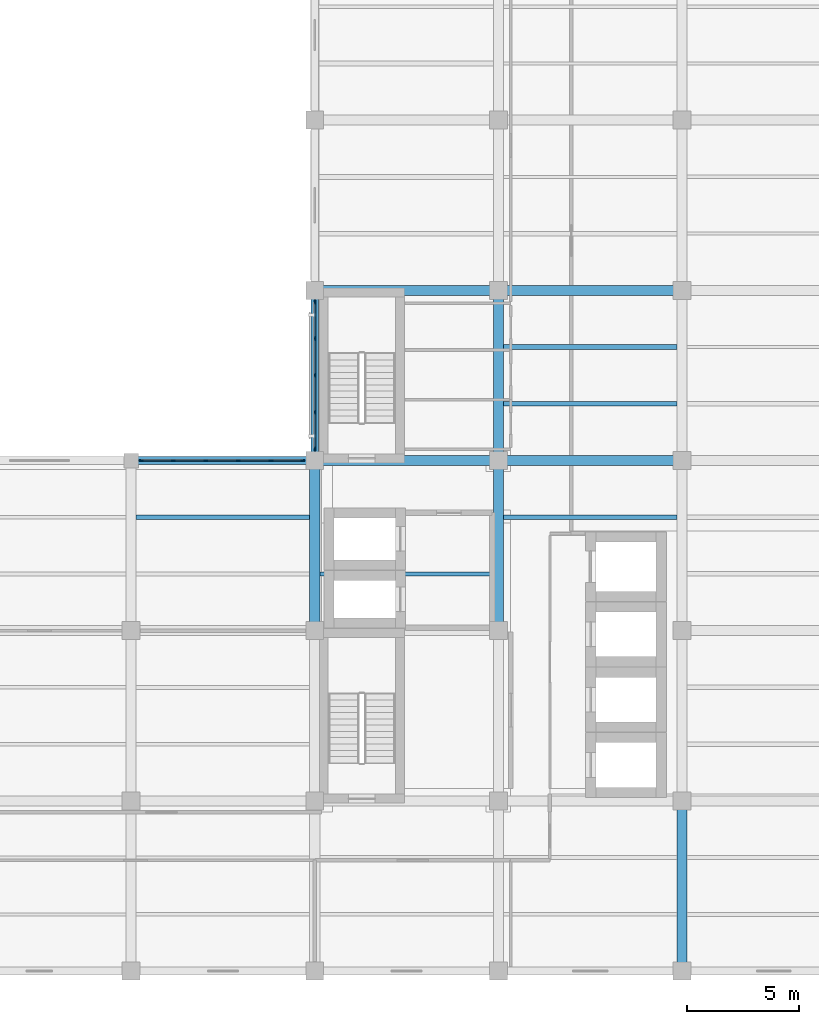
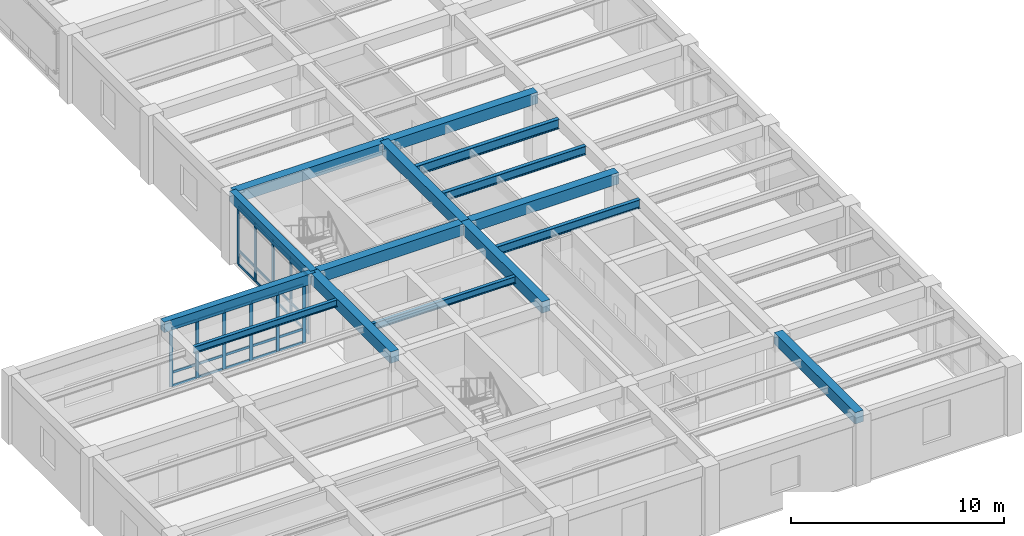
# One storey, part 2 of 14: 38 members, 15 beams, 2 elements without a shape of their own.
"""IFC4 building model written with IfcOpenShell, lengths in metres."""

from ifc_helpers import new_model, si_unit, direction, frame, origin, origin_2d, place, context, subcontext, project, spatial, rectangle, i_section, extrude, material, material_profile, profile_set, type_object, element, aggregate, save


model = new_model("IFC4")

# Units and contexts
model_context = context("Model", 3, precision=1e-05, world=origin(), true_north=direction((0.0, 1.0)))
body_context = subcontext(model_context, "Body", "Model", "MODEL_VIEW")
ifc_project = project(units=[si_unit("LENGTHUNIT", "METRE"), si_unit("AREAUNIT", "SQUARE_METRE"), si_unit("VOLUMEUNIT", "CUBIC_METRE"), si_unit("PLANEANGLEUNIT", "RADIAN"), si_unit("MASSUNIT", "GRAM", prefix="KILO")], contexts=[model_context])

# Site, building, storey
site_placement = place(None, origin())
site = spatial("IfcSite", under=ifc_project, at=site_placement, CompositionType="ELEMENT")
building_placement = place(site_placement, origin())
building = spatial("IfcBuilding", under=site, at=building_placement, Name="Qandaris Square Conservatory and Botanical Centre", CompositionType="ELEMENT")
storey_placement = place(building_placement, frame((0.0, 0.0, 40.800048828125)))
storey = spatial("IfcBuildingStorey", under=building, at=storey_placement, Name="L09", CompositionType="ELEMENT", Elevation=40.800048828125)

# Beams
ifc_material_1 = material(Name="Steel S355", Category="steel")
ifc_material_profile_1 = material_profile(ifc_material_1, i_section(OverallWidth=0.199951171875, OverallDepth=0.5, WebThickness=0.01025390625, FlangeThickness=0.01611328125, FilletRadius=0.02099609375, at=origin_2d()), Name="IPE 500")
ifc_profile_set_1 = profile_set([ifc_material_profile_1], Name="Steel S355")
beam_type_1 = type_object("IfcBeamType", Name="Composite Gallery Joist IPE 500", PredefinedType="JOIST", material=ifc_profile_set_1)
for number, where, z_axis, x_axis, name in (
    (1, (147.625, 36.86669921875, 3.679931640625), (1.0, 0.0, 0.0), (0.0, 1.0, 0.0), "L09 Composite Joist 2409"),
    (2, (147.625, 41.933349609375, 3.679931640625), (1.0, 0.0, 0.0), (0.0, 1.0, 0.0), "L09 Composite Joist 2410"),
):
    element("IfcBeam", number, at=place(storey_placement, frame(where, z_axis=z_axis, x_axis=x_axis)), inside=storey, type_object=beam_type_1, Name=name, PredefinedType="JOIST", context=body_context, shape_type="SweptSolid", body=[
        extrude(i_section(OverallWidth=0.199951171875, OverallDepth=0.5, WebThickness=0.01025390625, FlangeThickness=0.01611328125, FilletRadius=0.02099609375, at=origin_2d()), origin(), (0.0, 0.0, 1.0), 7.75),
    ])
ifc_material_profile_2 = material_profile(ifc_material_1, i_section(OverallWidth=0.179931640625, OverallDepth=0.39990234375, WebThickness=0.008544921875, FlangeThickness=0.013427734375, FilletRadius=0.02099609375, at=origin_2d()), Name="IPE 400")
ifc_profile_set_2 = profile_set([ifc_material_profile_2], Name="Steel S355")
beam_type_2 = type_object("IfcBeamType", Name="Composite Plinth Joist IPE 400", PredefinedType="JOIST", material=ifc_profile_set_2)
for number, where, z_axis, x_axis, name in (
    (3, (131.22509765625, 36.86669921875, 3.72998046875), (1.0, 0.0, 0.0), (0.0, 1.0, 0.0), "L09 Composite Joist 2397"),
    (4, (139.425048828125, 34.333251953125, 3.72998046875), (1.0, 0.0, 0.0), (0.0, 1.0, 0.0), "L09 Composite Joist 2400"),
):
    element("IfcBeam", number, at=place(storey_placement, frame(where, z_axis=z_axis, x_axis=x_axis)), inside=storey, type_object=beam_type_2, Name=name, PredefinedType="JOIST", context=body_context, shape_type="SweptSolid", body=[
        extrude(i_section(OverallWidth=0.179931640625, OverallDepth=0.39990234375, WebThickness=0.008544921875, FlangeThickness=0.013427734375, FilletRadius=0.02099609375, at=origin_2d()), origin(), (0.0, 0.0, 1.0), 7.75),
    ])

# Curtain wall, members
ifc_material_2 = material(Name="Anodised Aluminium", Category="aluminium")
curtain_wall_type_1 = type_object("IfcCurtainWallType", Name="Unitised Curtain Wall CW-4-660x334", PredefinedType="USERDEFINED", material=ifc_material_2)
curtain_wall_1_placement = place(storey_placement, origin())
curtain_wall_1 = element("IfcCurtainWall", 5, at=curtain_wall_1_placement, inside=storey, type_object=curtain_wall_type_1, Name="Curtain Wall CW-TWR-L09-4-4", ObjectType="GLAZED CURTAIN WALL", PredefinedType="USERDEFINED")
ifc_material_profile_3 = material_profile(ifc_material_2, rectangle(XDim=0.06494140625, YDim=0.179931640625, at=origin_2d()), Name="ALU-MUL 65x180")
ifc_profile_set_3 = profile_set([ifc_material_profile_3], Name="Anodised Aluminium")
member_type_1 = type_object("IfcMemberType", Name="Curtain Wall Mullion 65x180", PredefinedType="MULLION", material=ifc_profile_set_3)
member_1_placement = place(storey_placement, frame((139.199951171875, 46.467529296875, 0.0), z_axis=(0.0, 0.0, 1.0), x_axis=(1.0, 0.0, 0.0)))
member_1 = element("IfcMember", 6, at=member_1_placement, type_object=member_type_1, Name="CW-4-660x334 mullion 1", PredefinedType="MULLION", context=body_context, shape_type="SweptSolid", body=[
    extrude(rectangle(XDim=0.06494140625, YDim=0.179931640625, at=origin_2d()), origin(), (0.0, 0.0, 1.0), 3.33984375),
])
member_2_placement = place(storey_placement, frame((139.199951171875, 44.85009765625, 0.0), z_axis=(0.0, 0.0, 1.0), x_axis=(1.0, 0.0, 0.0)))
member_2 = element("IfcMember", 7, at=member_2_placement, type_object=member_type_1, Name="CW-4-660x334 mullion 2", PredefinedType="MULLION", context=body_context, shape_type="SweptSolid", body=[
    extrude(rectangle(XDim=0.06494140625, YDim=0.179931640625, at=origin_2d()), origin(), (0.0, 0.0, 1.0), 3.33984375),
])
member_3_placement = place(storey_placement, frame((139.199951171875, 43.199951171875, 0.0), z_axis=(0.0, 0.0, 1.0), x_axis=(1.0, 0.0, 0.0)))
member_3 = element("IfcMember", 8, at=member_3_placement, type_object=member_type_1, Name="CW-4-660x334 mullion 3", PredefinedType="MULLION", context=body_context, shape_type="SweptSolid", body=[
    extrude(rectangle(XDim=0.06494140625, YDim=0.179931640625, at=origin_2d()), origin(), (0.0, 0.0, 1.0), 3.33984375),
])
member_4_placement = place(storey_placement, frame((139.199951171875, 41.550048828125, 0.0), z_axis=(0.0, 0.0, 1.0), x_axis=(1.0, 0.0, 0.0)))
member_4 = element("IfcMember", 9, at=member_4_placement, type_object=member_type_1, Name="CW-4-660x334 mullion 4", PredefinedType="MULLION", context=body_context, shape_type="SweptSolid", body=[
    extrude(rectangle(XDim=0.06494140625, YDim=0.179931640625, at=origin_2d()), origin(), (0.0, 0.0, 1.0), 3.33984375),
])
member_5_placement = place(storey_placement, frame((139.199951171875, 39.9326171875, 0.0), z_axis=(0.0, 0.0, 1.0), x_axis=(1.0, 0.0, 0.0)))
member_5 = element("IfcMember", 10, at=member_5_placement, type_object=member_type_1, Name="CW-4-660x334 mullion 5", PredefinedType="MULLION", context=body_context, shape_type="SweptSolid", body=[
    extrude(rectangle(XDim=0.06494140625, YDim=0.179931640625, at=origin_2d()), origin(), (0.0, 0.0, 1.0), 3.33984375),
])

curtain_wall_type_2 = type_object("IfcCurtainWallType", Name="Unitised Curtain Wall CW-4-727x334", PredefinedType="USERDEFINED", material=ifc_material_2)
curtain_wall_2_placement = place(storey_placement, origin())
curtain_wall_2 = element("IfcCurtainWall", 11, at=curtain_wall_2_placement, inside=storey, type_object=curtain_wall_type_2, Name="Curtain Wall CW-TWR-L09-5-1", ObjectType="GLAZED CURTAIN WALL", PredefinedType="USERDEFINED")
member_6_placement = place(storey_placement, frame((138.66748046875, 39.39990234375, 0.0), z_axis=(0.0, 0.0, 1.0), x_axis=(0.0, -1.0, 0.0)))
member_6 = element("IfcMember", 12, at=member_6_placement, type_object=member_type_1, Name="CW-4-727x334 mullion 1", PredefinedType="MULLION", context=body_context, shape_type="SweptSolid", body=[
    extrude(rectangle(XDim=0.06494140625, YDim=0.179931640625, at=origin_2d()), origin(), (0.0, 0.0, 1.0), 3.33984375),
])
member_7_placement = place(storey_placement, frame((137.2451171875, 39.39990234375, 0.0), z_axis=(0.0, 0.0, 1.0), x_axis=(0.0, -1.0, 0.0)))
member_7 = element("IfcMember", 13, at=member_7_placement, type_object=member_type_1, Name="CW-4-727x334 mullion 2", PredefinedType="MULLION", context=body_context, shape_type="SweptSolid", body=[
    extrude(rectangle(XDim=0.06494140625, YDim=0.179931640625, at=origin_2d()), origin(), (0.0, 0.0, 1.0), 3.33984375),
])
member_8_placement = place(storey_placement, frame((135.7900390625, 39.39990234375, 0.0), z_axis=(0.0, 0.0, 1.0), x_axis=(0.0, -1.0, 0.0)))
member_8 = element("IfcMember", 14, at=member_8_placement, type_object=member_type_1, Name="CW-4-727x334 mullion 3", PredefinedType="MULLION", context=body_context, shape_type="SweptSolid", body=[
    extrude(rectangle(XDim=0.06494140625, YDim=0.179931640625, at=origin_2d()), origin(), (0.0, 0.0, 1.0), 3.33984375),
])
member_9_placement = place(storey_placement, frame((134.3349609375, 39.39990234375, 0.0), z_axis=(0.0, 0.0, 1.0), x_axis=(0.0, -1.0, 0.0)))
member_9 = element("IfcMember", 15, at=member_9_placement, type_object=member_type_1, Name="CW-4-727x334 mullion 4", PredefinedType="MULLION", context=body_context, shape_type="SweptSolid", body=[
    extrude(rectangle(XDim=0.06494140625, YDim=0.179931640625, at=origin_2d()), origin(), (0.0, 0.0, 1.0), 3.33984375),
])
member_10_placement = place(storey_placement, frame((132.8798828125, 39.39990234375, 0.0), z_axis=(0.0, 0.0, 1.0), x_axis=(0.0, -1.0, 0.0)))
member_10 = element("IfcMember", 16, at=member_10_placement, type_object=member_type_1, Name="CW-4-727x334 mullion 5", PredefinedType="MULLION", context=body_context, shape_type="SweptSolid", body=[
    extrude(rectangle(XDim=0.06494140625, YDim=0.179931640625, at=origin_2d()), origin(), (0.0, 0.0, 1.0), 3.33984375),
])
member_11_placement = place(storey_placement, frame((131.45751953125, 39.39990234375, 0.0), z_axis=(0.0, 0.0, 1.0), x_axis=(0.0, -1.0, 0.0)))
member_11 = element("IfcMember", 17, at=member_11_placement, type_object=member_type_1, Name="CW-4-727x334 mullion 6", PredefinedType="MULLION", context=body_context, shape_type="SweptSolid", body=[
    extrude(rectangle(XDim=0.06494140625, YDim=0.179931640625, at=origin_2d()), origin(), (0.0, 0.0, 1.0), 3.33984375),
])

# Member
ifc_material_profile_4 = material_profile(ifc_material_2, rectangle(XDim=0.06494140625, YDim=0.139892578125, at=origin_2d()), Name="ALU-TRN 65x140")
ifc_profile_set_4 = profile_set([ifc_material_profile_4], Name="Anodised Aluminium")
member_type_2 = type_object("IfcMemberType", Name="Curtain Wall Transom 65x140", PredefinedType="USERDEFINED", material=ifc_profile_set_4)
member_12_placement = place(storey_placement, frame((139.199951171875, 46.43505859375, 0.032470703125), z_axis=(0.0, -1.0, 0.0), x_axis=(1.0, 0.0, 0.0)))
member_12 = element("IfcMember", 18, at=member_12_placement, type_object=member_type_2, Name="CW-4-660x334 transom 1.1", ObjectType="TRANSOM", PredefinedType="USERDEFINED", context=body_context, shape_type="SweptSolid", body=[
    extrude(rectangle(XDim=0.06494140625, YDim=0.139892578125, at=origin_2d()), origin(), (0.0, 0.0, 1.0), 1.552490234375),
])

member_13_placement = place(storey_placement, frame((139.199951171875, 46.43505859375, 0.801513671875), z_axis=(0.0, -1.0, 0.0), x_axis=(1.0, 0.0, 0.0)))
member_13 = element("IfcMember", 19, at=member_13_placement, type_object=member_type_2, Name="CW-4-660x334 transom 1.2", ObjectType="TRANSOM", PredefinedType="USERDEFINED", context=body_context, shape_type="SweptSolid", body=[
    extrude(rectangle(XDim=0.06494140625, YDim=0.139892578125, at=origin_2d()), origin(), (0.0, 0.0, 1.0), 1.552490234375),
])

member_14_placement = place(storey_placement, frame((139.199951171875, 46.43505859375, 3.307373046875), z_axis=(0.0, -1.0, 0.0), x_axis=(1.0, 0.0, 0.0)))
member_14 = element("IfcMember", 20, at=member_14_placement, type_object=member_type_2, Name="CW-4-660x334 transom 1.3", ObjectType="TRANSOM", PredefinedType="USERDEFINED", context=body_context, shape_type="SweptSolid", body=[
    extrude(rectangle(XDim=0.06494140625, YDim=0.139892578125, at=origin_2d()), origin(), (0.0, 0.0, 1.0), 1.552490234375),
])

member_15_placement = place(storey_placement, frame((139.199951171875, 44.8173828125, 0.032470703125), z_axis=(0.0, -1.0, 0.0), x_axis=(1.0, 0.0, 0.0)))
member_15 = element("IfcMember", 21, at=member_15_placement, type_object=member_type_2, Name="CW-4-660x334 transom 2.1", ObjectType="TRANSOM", PredefinedType="USERDEFINED", context=body_context, shape_type="SweptSolid", body=[
    extrude(rectangle(XDim=0.06494140625, YDim=0.139892578125, at=origin_2d()), origin(), (0.0, 0.0, 1.0), 1.5849609375),
])

member_16_placement = place(storey_placement, frame((139.199951171875, 44.8173828125, 0.801513671875), z_axis=(0.0, -1.0, 0.0), x_axis=(1.0, 0.0, 0.0)))
member_16 = element("IfcMember", 22, at=member_16_placement, type_object=member_type_2, Name="CW-4-660x334 transom 2.2", ObjectType="TRANSOM", PredefinedType="USERDEFINED", context=body_context, shape_type="SweptSolid", body=[
    extrude(rectangle(XDim=0.06494140625, YDim=0.139892578125, at=origin_2d()), origin(), (0.0, 0.0, 1.0), 1.5849609375),
])

member_17_placement = place(storey_placement, frame((139.199951171875, 44.8173828125, 3.307373046875), z_axis=(0.0, -1.0, 0.0), x_axis=(1.0, 0.0, 0.0)))
member_17 = element("IfcMember", 23, at=member_17_placement, type_object=member_type_2, Name="CW-4-660x334 transom 2.3", ObjectType="TRANSOM", PredefinedType="USERDEFINED", context=body_context, shape_type="SweptSolid", body=[
    extrude(rectangle(XDim=0.06494140625, YDim=0.139892578125, at=origin_2d()), origin(), (0.0, 0.0, 1.0), 1.5849609375),
])

member_18_placement = place(storey_placement, frame((139.199951171875, 43.16748046875, 0.032470703125), z_axis=(0.0, -1.0, 0.0), x_axis=(1.0, 0.0, 0.0)))
member_18 = element("IfcMember", 24, at=member_18_placement, type_object=member_type_2, Name="CW-4-660x334 transom 3.1", ObjectType="TRANSOM", PredefinedType="USERDEFINED", context=body_context, shape_type="SweptSolid", body=[
    extrude(rectangle(XDim=0.06494140625, YDim=0.139892578125, at=origin_2d()), origin(), (0.0, 0.0, 1.0), 1.5849609375),
])

member_19_placement = place(storey_placement, frame((139.199951171875, 43.16748046875, 0.801513671875), z_axis=(0.0, -1.0, 0.0), x_axis=(1.0, 0.0, 0.0)))
member_19 = element("IfcMember", 25, at=member_19_placement, type_object=member_type_2, Name="CW-4-660x334 transom 3.2", ObjectType="TRANSOM", PredefinedType="USERDEFINED", context=body_context, shape_type="SweptSolid", body=[
    extrude(rectangle(XDim=0.06494140625, YDim=0.139892578125, at=origin_2d()), origin(), (0.0, 0.0, 1.0), 1.5849609375),
])

member_20_placement = place(storey_placement, frame((139.199951171875, 43.16748046875, 3.307373046875), z_axis=(0.0, -1.0, 0.0), x_axis=(1.0, 0.0, 0.0)))
member_20 = element("IfcMember", 26, at=member_20_placement, type_object=member_type_2, Name="CW-4-660x334 transom 3.3", ObjectType="TRANSOM", PredefinedType="USERDEFINED", context=body_context, shape_type="SweptSolid", body=[
    extrude(rectangle(XDim=0.06494140625, YDim=0.139892578125, at=origin_2d()), origin(), (0.0, 0.0, 1.0), 1.5849609375),
])

member_21_placement = place(storey_placement, frame((139.199951171875, 41.517578125, 0.032470703125), z_axis=(0.0, -1.0, 0.0), x_axis=(1.0, 0.0, 0.0)))
member_21 = element("IfcMember", 27, at=member_21_placement, type_object=member_type_2, Name="CW-4-660x334 transom 4.1", ObjectType="TRANSOM", PredefinedType="USERDEFINED", context=body_context, shape_type="SweptSolid", body=[
    extrude(rectangle(XDim=0.06494140625, YDim=0.139892578125, at=origin_2d()), origin(), (0.0, 0.0, 1.0), 1.552490234375),
])

member_22_placement = place(storey_placement, frame((139.199951171875, 41.517578125, 0.801513671875), z_axis=(0.0, -1.0, 0.0), x_axis=(1.0, 0.0, 0.0)))
member_22 = element("IfcMember", 28, at=member_22_placement, type_object=member_type_2, Name="CW-4-660x334 transom 4.2", ObjectType="TRANSOM", PredefinedType="USERDEFINED", context=body_context, shape_type="SweptSolid", body=[
    extrude(rectangle(XDim=0.06494140625, YDim=0.139892578125, at=origin_2d()), origin(), (0.0, 0.0, 1.0), 1.552490234375),
])

member_23_placement = place(storey_placement, frame((139.199951171875, 41.517578125, 3.307373046875), z_axis=(0.0, -1.0, 0.0), x_axis=(1.0, 0.0, 0.0)))
member_23 = element("IfcMember", 29, at=member_23_placement, type_object=member_type_2, Name="CW-4-660x334 transom 4.3", ObjectType="TRANSOM", PredefinedType="USERDEFINED", context=body_context, shape_type="SweptSolid", body=[
    extrude(rectangle(XDim=0.06494140625, YDim=0.139892578125, at=origin_2d()), origin(), (0.0, 0.0, 1.0), 1.552490234375),
])

aggregate(curtain_wall_1, [member_1, member_2, member_3, member_4, member_5, member_12, member_13, member_14, member_15, member_16, member_17, member_18, member_19, member_20, member_21, member_22, member_23])

member_24_placement = place(storey_placement, frame((138.635009765625, 39.39990234375, 0.032470703125), z_axis=(-1.0, 0.0, 0.0), x_axis=(0.0, -1.0, 0.0)))
member_24 = element("IfcMember", 30, at=member_24_placement, type_object=member_type_2, Name="CW-4-727x334 transom 1.1", ObjectType="TRANSOM", PredefinedType="USERDEFINED", context=body_context, shape_type="SweptSolid", body=[
    extrude(rectangle(XDim=0.06494140625, YDim=0.139892578125, at=origin_2d()), origin(), (0.0, 0.0, 1.0), 1.357421875),
])

member_25_placement = place(storey_placement, frame((138.635009765625, 39.39990234375, 0.801513671875), z_axis=(-1.0, 0.0, 0.0), x_axis=(0.0, -1.0, 0.0)))
member_25 = element("IfcMember", 31, at=member_25_placement, type_object=member_type_2, Name="CW-4-727x334 transom 1.2", ObjectType="TRANSOM", PredefinedType="USERDEFINED", context=body_context, shape_type="SweptSolid", body=[
    extrude(rectangle(XDim=0.06494140625, YDim=0.139892578125, at=origin_2d()), origin(), (0.0, 0.0, 1.0), 1.357421875),
])

member_26_placement = place(storey_placement, frame((138.635009765625, 39.39990234375, 3.307373046875), z_axis=(-1.0, 0.0, 0.0), x_axis=(0.0, -1.0, 0.0)))
member_26 = element("IfcMember", 32, at=member_26_placement, type_object=member_type_2, Name="CW-4-727x334 transom 1.3", ObjectType="TRANSOM", PredefinedType="USERDEFINED", context=body_context, shape_type="SweptSolid", body=[
    extrude(rectangle(XDim=0.06494140625, YDim=0.139892578125, at=origin_2d()), origin(), (0.0, 0.0, 1.0), 1.357421875),
])

member_27_placement = place(storey_placement, frame((137.21240234375, 39.39990234375, 0.032470703125), z_axis=(-1.0, 0.0, 0.0), x_axis=(0.0, -1.0, 0.0)))
member_27 = element("IfcMember", 33, at=member_27_placement, type_object=member_type_2, Name="CW-4-727x334 transom 2.1", ObjectType="TRANSOM", PredefinedType="USERDEFINED", context=body_context, shape_type="SweptSolid", body=[
    extrude(rectangle(XDim=0.06494140625, YDim=0.139892578125, at=origin_2d()), origin(), (0.0, 0.0, 1.0), 1.389892578125),
])

member_28_placement = place(storey_placement, frame((137.21240234375, 39.39990234375, 0.801513671875), z_axis=(-1.0, 0.0, 0.0), x_axis=(0.0, -1.0, 0.0)))
member_28 = element("IfcMember", 34, at=member_28_placement, type_object=member_type_2, Name="CW-4-727x334 transom 2.2", ObjectType="TRANSOM", PredefinedType="USERDEFINED", context=body_context, shape_type="SweptSolid", body=[
    extrude(rectangle(XDim=0.06494140625, YDim=0.139892578125, at=origin_2d()), origin(), (0.0, 0.0, 1.0), 1.389892578125),
])

member_29_placement = place(storey_placement, frame((137.21240234375, 39.39990234375, 3.307373046875), z_axis=(-1.0, 0.0, 0.0), x_axis=(0.0, -1.0, 0.0)))
member_29 = element("IfcMember", 35, at=member_29_placement, type_object=member_type_2, Name="CW-4-727x334 transom 2.3", ObjectType="TRANSOM", PredefinedType="USERDEFINED", context=body_context, shape_type="SweptSolid", body=[
    extrude(rectangle(XDim=0.06494140625, YDim=0.139892578125, at=origin_2d()), origin(), (0.0, 0.0, 1.0), 1.389892578125),
])

member_30_placement = place(storey_placement, frame((135.757568359375, 39.39990234375, 0.032470703125), z_axis=(-1.0, 0.0, 0.0), x_axis=(0.0, -1.0, 0.0)))
member_30 = element("IfcMember", 36, at=member_30_placement, type_object=member_type_2, Name="CW-4-727x334 transom 3.1", ObjectType="TRANSOM", PredefinedType="USERDEFINED", context=body_context, shape_type="SweptSolid", body=[
    extrude(rectangle(XDim=0.06494140625, YDim=0.139892578125, at=origin_2d()), origin(), (0.0, 0.0, 1.0), 1.39013671875),
])

member_31_placement = place(storey_placement, frame((135.757568359375, 39.39990234375, 0.801513671875), z_axis=(-1.0, 0.0, 0.0), x_axis=(0.0, -1.0, 0.0)))
member_31 = element("IfcMember", 37, at=member_31_placement, type_object=member_type_2, Name="CW-4-727x334 transom 3.2", ObjectType="TRANSOM", PredefinedType="USERDEFINED", context=body_context, shape_type="SweptSolid", body=[
    extrude(rectangle(XDim=0.06494140625, YDim=0.139892578125, at=origin_2d()), origin(), (0.0, 0.0, 1.0), 1.39013671875),
])

member_32_placement = place(storey_placement, frame((135.757568359375, 39.39990234375, 3.307373046875), z_axis=(-1.0, 0.0, 0.0), x_axis=(0.0, -1.0, 0.0)))
member_32 = element("IfcMember", 38, at=member_32_placement, type_object=member_type_2, Name="CW-4-727x334 transom 3.3", ObjectType="TRANSOM", PredefinedType="USERDEFINED", context=body_context, shape_type="SweptSolid", body=[
    extrude(rectangle(XDim=0.06494140625, YDim=0.139892578125, at=origin_2d()), origin(), (0.0, 0.0, 1.0), 1.39013671875),
])

member_33_placement = place(storey_placement, frame((134.302490234375, 39.39990234375, 0.032470703125), z_axis=(-1.0, 0.0, 0.0), x_axis=(0.0, -1.0, 0.0)))
member_33 = element("IfcMember", 39, at=member_33_placement, type_object=member_type_2, Name="CW-4-727x334 transom 4.1", ObjectType="TRANSOM", PredefinedType="USERDEFINED", context=body_context, shape_type="SweptSolid", body=[
    extrude(rectangle(XDim=0.06494140625, YDim=0.139892578125, at=origin_2d()), origin(), (0.0, 0.0, 1.0), 1.389892578125),
])

member_34_placement = place(storey_placement, frame((134.302490234375, 39.39990234375, 0.801513671875), z_axis=(-1.0, 0.0, 0.0), x_axis=(0.0, -1.0, 0.0)))
member_34 = element("IfcMember", 40, at=member_34_placement, type_object=member_type_2, Name="CW-4-727x334 transom 4.2", ObjectType="TRANSOM", PredefinedType="USERDEFINED", context=body_context, shape_type="SweptSolid", body=[
    extrude(rectangle(XDim=0.06494140625, YDim=0.139892578125, at=origin_2d()), origin(), (0.0, 0.0, 1.0), 1.389892578125),
])

member_35_placement = place(storey_placement, frame((134.302490234375, 39.39990234375, 3.307373046875), z_axis=(-1.0, 0.0, 0.0), x_axis=(0.0, -1.0, 0.0)))
member_35 = element("IfcMember", 41, at=member_35_placement, type_object=member_type_2, Name="CW-4-727x334 transom 4.3", ObjectType="TRANSOM", PredefinedType="USERDEFINED", context=body_context, shape_type="SweptSolid", body=[
    extrude(rectangle(XDim=0.06494140625, YDim=0.139892578125, at=origin_2d()), origin(), (0.0, 0.0, 1.0), 1.389892578125),
])

member_36_placement = place(storey_placement, frame((132.847412109375, 39.39990234375, 0.032470703125), z_axis=(-1.0, 0.0, 0.0), x_axis=(0.0, -1.0, 0.0)))
member_36 = element("IfcMember", 42, at=member_36_placement, type_object=member_type_2, Name="CW-4-727x334 transom 5.1", ObjectType="TRANSOM", PredefinedType="USERDEFINED", context=body_context, shape_type="SweptSolid", body=[
    extrude(rectangle(XDim=0.06494140625, YDim=0.139892578125, at=origin_2d()), origin(), (0.0, 0.0, 1.0), 1.357421875),
])

member_37_placement = place(storey_placement, frame((132.847412109375, 39.39990234375, 0.801513671875), z_axis=(-1.0, 0.0, 0.0), x_axis=(0.0, -1.0, 0.0)))
member_37 = element("IfcMember", 43, at=member_37_placement, type_object=member_type_2, Name="CW-4-727x334 transom 5.2", ObjectType="TRANSOM", PredefinedType="USERDEFINED", context=body_context, shape_type="SweptSolid", body=[
    extrude(rectangle(XDim=0.06494140625, YDim=0.139892578125, at=origin_2d()), origin(), (0.0, 0.0, 1.0), 1.357421875),
])

member_38_placement = place(storey_placement, frame((132.847412109375, 39.39990234375, 3.307373046875), z_axis=(-1.0, 0.0, 0.0), x_axis=(0.0, -1.0, 0.0)))
member_38 = element("IfcMember", 44, at=member_38_placement, type_object=member_type_2, Name="CW-4-727x334 transom 5.3", ObjectType="TRANSOM", PredefinedType="USERDEFINED", context=body_context, shape_type="SweptSolid", body=[
    extrude(rectangle(XDim=0.06494140625, YDim=0.139892578125, at=origin_2d()), origin(), (0.0, 0.0, 1.0), 1.357421875),
])

aggregate(curtain_wall_2, [member_6, member_7, member_8, member_9, member_10, member_11, member_24, member_25, member_26, member_27, member_28, member_29, member_30, member_31, member_32, member_33, member_34, member_35, member_36, member_37, member_38])

# Beams
ifc_material_profile_5 = material_profile(ifc_material_1, i_section(OverallWidth=0.2099609375, OverallDepth=0.550048828125, WebThickness=0.010986328125, FlangeThickness=0.01708984375, FilletRadius=0.02392578125, at=origin_2d()), Name="IPE 550")
ifc_profile_set_5 = profile_set([ifc_material_profile_5], Name="Steel S355")
beam_type_3 = type_object("IfcBeamType", Name="Long-Span Foyer Joist IPE 550", PredefinedType="JOIST", material=ifc_profile_set_5)
beam_1_placement = place(storey_placement, frame((147.625, 44.466796875, 3.655029296875), z_axis=(1.0, 0.0, 0.0), x_axis=(0.0, 1.0, 0.0)))
element("IfcBeam", 45, at=beam_1_placement, inside=storey, type_object=beam_type_3, Name="L09 Composite Joist 2411", PredefinedType="JOIST", context=body_context, shape_type="SweptSolid", body=[
    extrude(i_section(OverallWidth=0.2099609375, OverallDepth=0.550048828125, WebThickness=0.010986328125, FlangeThickness=0.01708984375, FilletRadius=0.02392578125, at=origin_2d()), origin(), (0.0, 0.0, 1.0), 7.75),
])
ifc_material_3 = material(Name="Concrete C50/60", Category="concrete")
ifc_material_profile_6 = material_profile(ifc_material_3, rectangle(XDim=0.35009765625, YDim=0.60009765625, at=origin_2d()), Name="RC-SP 350x600")
ifc_profile_set_6 = profile_set([ifc_material_profile_6], Name="Concrete C50/60")
beam_type_4 = type_object("IfcBeamType", Name="RC Edge Spandrel Beam 350x600", PredefinedType="SPANDREL", material=ifc_profile_set_6)
beam_2_placement = place(storey_placement, frame((131.0, 39.39990234375, 3.639892578125), z_axis=(1.0, 0.0, 0.0), x_axis=(0.0, 1.0, 0.0)))
element("IfcBeam", 46, at=beam_2_placement, inside=storey, type_object=beam_type_4, Name="L09 Frame Beam 2336", PredefinedType="SPANDREL", context=body_context, shape_type="SweptSolid", body=[
    extrude(rectangle(XDim=0.35009765625, YDim=0.60009765625, at=origin_2d()), origin(), (0.0, 0.0, 1.0), 8.199951171875),
])
beam_3_placement = place(storey_placement, frame((139.199951171875, 39.39990234375, 3.639892578125), z_axis=(0.0, 1.0, 0.0), x_axis=(-1.0, 0.0, 0.0)))
element("IfcBeam", 47, at=beam_3_placement, inside=storey, type_object=beam_type_4, Name="L09 Frame Beam 2361", PredefinedType="SPANDREL", context=body_context, shape_type="SweptSolid", body=[
    extrude(rectangle(XDim=0.35009765625, YDim=0.60009765625, at=origin_2d()), origin(), (0.0, 0.0, 1.0), 7.60009765625),
])
ifc_material_profile_7 = material_profile(ifc_material_3, rectangle(XDim=0.449951171875, YDim=0.64990234375, at=origin_2d()), Name="RC-BM 450x650")
ifc_profile_set_7 = profile_set([ifc_material_profile_7], Name="Concrete C50/60")
beam_type_5 = type_object("IfcBeamType", Name="RC Floor Girder 450x650", PredefinedType="BEAM", material=ifc_profile_set_7)
beam_4_placement = place(storey_placement, frame((139.199951171875, 39.39990234375, 3.614990234375), z_axis=(1.0, 0.0, 0.0), x_axis=(0.0, 1.0, 0.0)))
element("IfcBeam", 48, at=beam_4_placement, inside=storey, type_object=beam_type_5, Name="L09 Frame Beam 2337", PredefinedType="BEAM", context=body_context, shape_type="SweptSolid", body=[
    extrude(rectangle(XDim=0.449951171875, YDim=0.64990234375, at=origin_2d()), origin(), (0.0, 0.0, 1.0), 8.199951171875),
])
beam_5_placement = place(storey_placement, frame((147.39990234375, 39.39990234375, 3.614990234375), z_axis=(1.0, 0.0, 0.0), x_axis=(0.0, 1.0, 0.0)))
element("IfcBeam", 49, at=beam_5_placement, inside=storey, type_object=beam_type_5, Name="L09 Frame Beam 2338", PredefinedType="BEAM", context=body_context, shape_type="SweptSolid", body=[
    extrude(rectangle(XDim=0.449951171875, YDim=0.64990234375, at=origin_2d()), origin(), (0.0, 0.0, 1.0), 8.2001953125),
])
beam_6_placement = place(storey_placement, frame((139.199951171875, 47.0, 3.614990234375), z_axis=(1.0, 0.0, 0.0), x_axis=(0.0, 1.0, 0.0)))
element("IfcBeam", 50, at=beam_6_placement, inside=storey, type_object=beam_type_5, Name="L09 Frame Beam 2340", PredefinedType="BEAM", context=body_context, shape_type="SweptSolid", body=[
    extrude(rectangle(XDim=0.449951171875, YDim=0.64990234375, at=origin_2d()), origin(), (0.0, 0.0, 1.0), 8.199951171875),
])
beam_7_placement = place(storey_placement, frame((147.39990234375, 47.0, 3.614990234375), z_axis=(1.0, 0.0, 0.0), x_axis=(0.0, 1.0, 0.0)))
element("IfcBeam", 51, at=beam_7_placement, inside=storey, type_object=beam_type_5, Name="L09 Frame Beam 2341", PredefinedType="BEAM", context=body_context, shape_type="SweptSolid", body=[
    extrude(rectangle(XDim=0.449951171875, YDim=0.64990234375, at=origin_2d()), origin(), (0.0, 0.0, 1.0), 8.2001953125),
])
for number, where, z_axis, x_axis, name in (
    (52, (139.199951171875, 31.800048828125, 3.614990234375), (0.0, 1.0, 0.0), (-1.0, 0.0, 0.0), "L09 Frame Beam 2360"),
    (53, (147.39990234375, 31.800048828125, 3.614990234375), (0.0, 1.0, 0.0), (-1.0, 0.0, 0.0), "L09 Frame Beam 2367"),
):
    element("IfcBeam", number, at=place(storey_placement, frame(where, z_axis=z_axis, x_axis=x_axis)), inside=storey, type_object=beam_type_5, Name=name, PredefinedType="BEAM", context=body_context, shape_type="SweptSolid", body=[
        extrude(rectangle(XDim=0.449951171875, YDim=0.64990234375, at=origin_2d()), origin(), (0.0, 0.0, 1.0), 7.599853515625),
    ])
beam_8_placement = place(storey_placement, frame((147.39990234375, 39.39990234375, 3.614990234375), z_axis=(0.0, 1.0, 0.0), x_axis=(-1.0, 0.0, 0.0)))
element("IfcBeam", 54, at=beam_8_placement, inside=storey, type_object=beam_type_5, Name="L09 Frame Beam 2368", PredefinedType="BEAM", context=body_context, shape_type="SweptSolid", body=[
    extrude(rectangle(XDim=0.449951171875, YDim=0.64990234375, at=origin_2d()), origin(), (0.0, 0.0, 1.0), 7.60009765625),
])
beam_9_placement = place(storey_placement, frame((155.60009765625, 16.60009765625, 3.614990234375), z_axis=(0.0, 1.0, 0.0), x_axis=(-1.0, 0.0, 0.0)))
element("IfcBeam", 55, at=beam_9_placement, inside=storey, type_object=beam_type_5, Name="L09 Frame Beam 2372", PredefinedType="BEAM", context=body_context, shape_type="SweptSolid", body=[
    extrude(rectangle(XDim=0.449951171875, YDim=0.64990234375, at=origin_2d()), origin(), (0.0, 0.0, 1.0), 7.599853515625),
])

save(model, "model.ifc")
